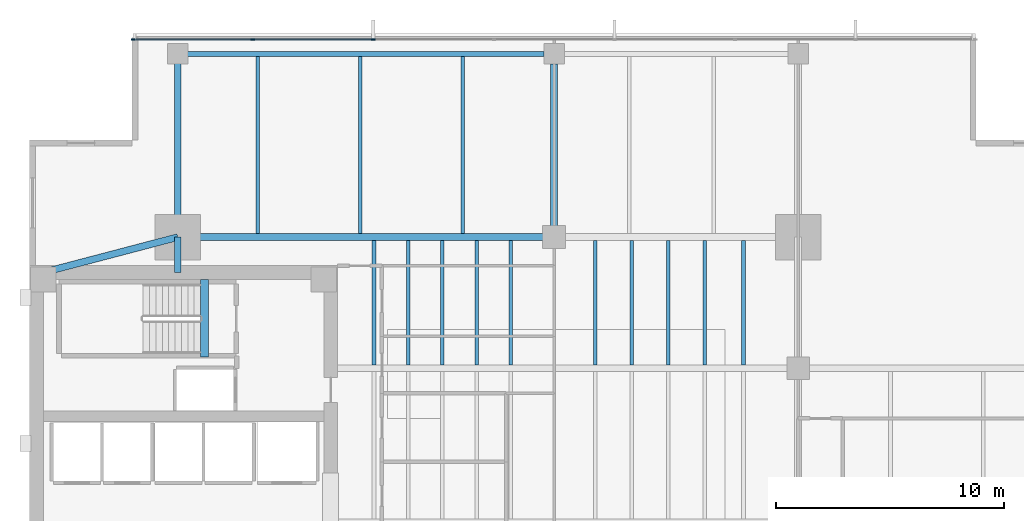
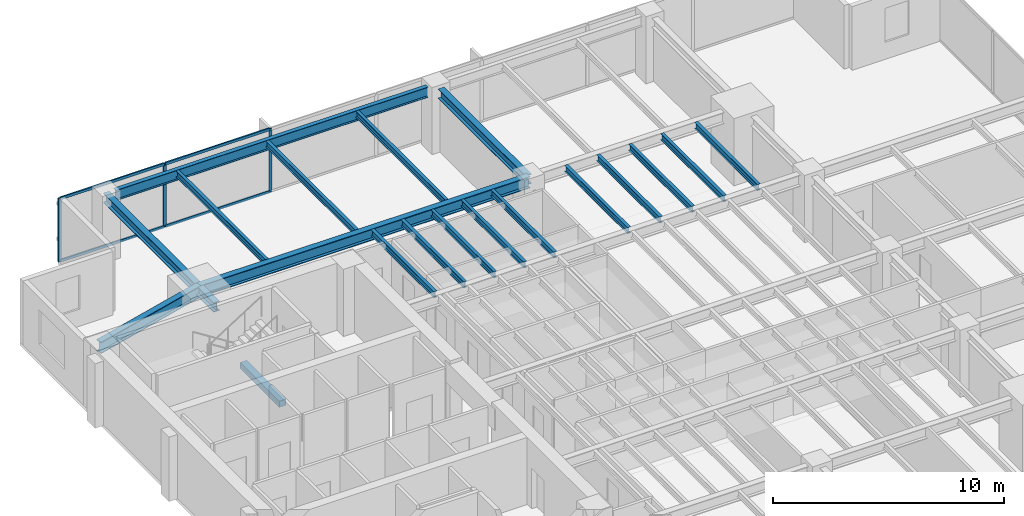
# One storey, part 5 of 15: 20 beams, 7 members, 1 element without a shape of its own.
"""IFC4 building model written with IfcOpenShell, lengths in metres."""

from ifc_helpers import new_model, si_unit, direction, frame, origin, origin_2d, place, context, subcontext, project, spatial, rectangle, i_section, extrude, material, layer, layer_set, material_profile, profile_set, type_object, element, aggregate, save


model = new_model("IFC4")

# Units and contexts
model_context = context("Model", 3, precision=1e-05, world=origin(), true_north=direction((0.0, 1.0)))
body_context = subcontext(model_context, "Body", "Model", "MODEL_VIEW")
ifc_project = project(units=[si_unit("LENGTHUNIT", "METRE"), si_unit("AREAUNIT", "SQUARE_METRE"), si_unit("VOLUMEUNIT", "CUBIC_METRE"), si_unit("PLANEANGLEUNIT", "RADIAN"), si_unit("MASSUNIT", "GRAM", prefix="KILO")], contexts=[model_context])

# Site, building, storey
site_placement = place(None, origin())
site = spatial("IfcSite", under=ifc_project, at=site_placement, CompositionType="ELEMENT")
building_placement = place(site_placement, origin())
building = spatial("IfcBuilding", under=site, at=building_placement, Name="Kinhvarn Gate Tower", CompositionType="ELEMENT")
storey_placement = place(building_placement, frame((0.0, 0.0, 105.800048828125)))
storey = spatial("IfcBuildingStorey", under=building, at=storey_placement, Name="L27", CompositionType="ELEMENT", Elevation=105.800048828125)

# Beam
ifc_material_1 = material(Name="Concrete C50/60", Category="concrete")
ifc_material_profile_1 = material_profile(ifc_material_1, rectangle(XDim=0.340087890625, YDim=0.320068359375, at=origin_2d()), Name="RC 340x320")
ifc_profile_set_1 = profile_set([ifc_material_profile_1], Name="Concrete C50/60")
beam_type_1 = type_object("IfcBeamType", Name="BM-LND-500", PredefinedType="BEAM", material=ifc_profile_set_1)
beam_1_placement = place(storey_placement, frame((12.1650390625, 32.5, -0.16015625), z_axis=(0.0, 1.0, 0.0), x_axis=(-1.0, 0.0, 0.0)))
element("IfcBeam", 1, at=beam_1_placement, inside=storey, type_object=beam_type_1, Name="Stair ST2 Landing Nosing Beam (L27)", PredefinedType="BEAM", context=body_context, shape_type="SweptSolid", body=[
    extrude(rectangle(XDim=0.340087890625, YDim=0.320068359375, at=origin_2d()), origin(), (0.0, 0.0, 1.0), 3.39990234375),
])

# Curtain wall, members
ifc_material_2 = material(Name="Anodised aluminium AW-6063", Category="aluminium")
ifc_layer = layer(ifc_material_2, 0.179931640625)
ifc_layer_set = layer_set([ifc_layer], Name="Anodised aluminium AW-6063")
curtain_wall_type = type_object("IfcCurtainWallType", Name="CW-SYS-3", PredefinedType="NOTDEFINED", material=ifc_layer_set)
curtain_wall_placement = place(storey_placement, origin())
curtain_wall = element("IfcCurtainWall", 2, at=curtain_wall_placement, inside=storey, type_object=curtain_wall_type, Name="Curtain Wall CW3 (L27)", PredefinedType="NOTDEFINED")
ifc_material_profile_2 = material_profile(ifc_material_2, rectangle(XDim=0.06494140625, YDim=0.159912109375, at=origin_2d()), Name="ALU 65x160")
ifc_profile_set_2 = profile_set([ifc_material_profile_2], Name="Anodised aluminium AW-6063")
member_type_1 = type_object("IfcMemberType", Name="CW-MUL-160", PredefinedType="MULLION", material=ifc_profile_set_2)
member_1_placement = place(storey_placement, frame((19.571533203125, 46.409912109375, 0.0), z_axis=(0.0, 0.0, 1.0), x_axis=(0.0, -1.0, 0.0)))
member_1 = element("IfcMember", 3, at=member_1_placement, type_object=member_type_1, Name="CW3 mullion 6", PredefinedType="MULLION", context=body_context, shape_type="SweptSolid", body=[
    extrude(rectangle(XDim=0.06494140625, YDim=0.159912109375, at=origin_2d()), origin(), (0.0, 0.0, 1.0), 3.369873046875),
])
member_2_placement = place(storey_placement, frame((14.28564453125, 46.409912109375, 0.0), z_axis=(0.0, 0.0, 1.0), x_axis=(0.0, -1.0, 0.0)))
member_2 = element("IfcMember", 4, at=member_2_placement, type_object=member_type_1, Name="CW3 mullion 7", PredefinedType="MULLION", context=body_context, shape_type="SweptSolid", body=[
    extrude(rectangle(XDim=0.06494140625, YDim=0.159912109375, at=origin_2d()), origin(), (0.0, 0.0, 1.0), 3.369873046875),
])
member_3_placement = place(storey_placement, frame((9.032470703125, 46.409912109375, 0.0), z_axis=(0.0, 0.0, 1.0), x_axis=(0.0, -1.0, 0.0)))
member_3 = element("IfcMember", 5, at=member_3_placement, type_object=member_type_1, Name="CW3 mullion 8", PredefinedType="MULLION", context=body_context, shape_type="SweptSolid", body=[
    extrude(rectangle(XDim=0.06494140625, YDim=0.159912109375, at=origin_2d()), origin(), (0.0, 0.0, 1.0), 3.369873046875),
])
ifc_material_profile_3 = material_profile(ifc_material_2, rectangle(XDim=0.070068359375, YDim=0.139892578125, at=origin_2d()), Name="ALU 70x140")
ifc_profile_set_3 = profile_set([ifc_material_profile_3], Name="Anodised aluminium AW-6063")
member_type_2 = type_object("IfcMemberType", Name="CW-TRN-140", PredefinedType="USERDEFINED", material=ifc_profile_set_3)
member_4_placement = place(storey_placement, frame((19.538818359375, 46.409912109375, 0.034912109375), z_axis=(-1.0, 0.0, 0.0), x_axis=(0.0, -1.0, 0.0)))
member_4 = element("IfcMember", 6, at=member_4_placement, type_object=member_type_2, Name="CW3 transom 6.1", ObjectType="TRANSOM", PredefinedType="USERDEFINED", context=body_context, shape_type="SweptSolid", body=[
    extrude(rectangle(XDim=0.070068359375, YDim=0.139892578125, at=origin_2d()), origin(), (0.0, 0.0, 1.0), 5.220703125),
])
member_5_placement = place(storey_placement, frame((19.538818359375, 46.409912109375, 3.3349609375), z_axis=(-1.0, 0.0, 0.0), x_axis=(0.0, -1.0, 0.0)))
member_5 = element("IfcMember", 7, at=member_5_placement, type_object=member_type_2, Name="CW3 transom 6.2", ObjectType="TRANSOM", PredefinedType="USERDEFINED", context=body_context, shape_type="SweptSolid", body=[
    extrude(rectangle(XDim=0.070068359375, YDim=0.139892578125, at=origin_2d()), origin(), (0.0, 0.0, 1.0), 5.220703125),
])
member_6_placement = place(storey_placement, frame((14.253173828125, 46.409912109375, 0.034912109375), z_axis=(-1.0, 0.0, 0.0), x_axis=(0.0, -1.0, 0.0)))
member_6 = element("IfcMember", 8, at=member_6_placement, type_object=member_type_2, Name="CW3 transom 7.1", ObjectType="TRANSOM", PredefinedType="USERDEFINED", context=body_context, shape_type="SweptSolid", body=[
    extrude(rectangle(XDim=0.070068359375, YDim=0.139892578125, at=origin_2d()), origin(), (0.0, 0.0, 1.0), 5.188232421875),
])
member_7_placement = place(storey_placement, frame((14.253173828125, 46.409912109375, 3.3349609375), z_axis=(-1.0, 0.0, 0.0), x_axis=(0.0, -1.0, 0.0)))
member_7 = element("IfcMember", 9, at=member_7_placement, type_object=member_type_2, Name="CW3 transom 7.2", ObjectType="TRANSOM", PredefinedType="USERDEFINED", context=body_context, shape_type="SweptSolid", body=[
    extrude(rectangle(XDim=0.070068359375, YDim=0.139892578125, at=origin_2d()), origin(), (0.0, 0.0, 1.0), 5.188232421875),
])
aggregate(curtain_wall, [member_1, member_2, member_3, member_4, member_5, member_6, member_7])

# Beams
ifc_material_3 = material(Name="Steel S355", Category="steel")
ifc_material_profile_4 = material_profile(ifc_material_3, i_section(OverallWidth=0.300048828125, OverallDepth=0.5, WebThickness=0.014404296875, FlangeThickness=0.028076171875, at=origin_2d()), Name="HEB 500")
ifc_profile_set_4 = profile_set([ifc_material_profile_4], Name="Steel S355")
beam_type_2 = type_object("IfcBeamType", Name="STL-HEB500", PredefinedType="BEAM", material=ifc_profile_set_4)
beam_2_placement = place(storey_placement, frame((11.0, 36.199951171875, 3.119873046875), z_axis=(0.0, 1.0, 0.0), x_axis=(-1.0, 0.0, 0.0)))
element("IfcBeam", 10, at=beam_2_placement, inside=storey, type_object=beam_type_2, Name="Floor Beam PG-14 (L27 MCW-CN)", PredefinedType="BEAM", context=body_context, shape_type="SweptSolid", body=[
    extrude(i_section(OverallWidth=0.300048828125, OverallDepth=0.5, WebThickness=0.014404296875, FlangeThickness=0.028076171875, at=origin_2d()), origin(), (0.0, 0.0, 1.0), 1.550048828125),
])
beam_3_placement = place(storey_placement, frame((11.0, 37.75, 3.119873046875), z_axis=(0.0, 1.0, 0.0), x_axis=(-1.0, 0.0, 0.0)))
element("IfcBeam", 11, at=beam_3_placement, inside=storey, type_object=beam_type_2, Name="Floor Beam PG-14 (L27 MCW-N)", PredefinedType="BEAM", context=body_context, shape_type="SweptSolid", body=[
    extrude(i_section(OverallWidth=0.300048828125, OverallDepth=0.5, WebThickness=0.014404296875, FlangeThickness=0.028076171875, at=origin_2d()), origin(), (0.0, 0.0, 1.0), 8.030029296875),
])
beam_4_placement = place(storey_placement, frame((27.5, 37.75, 3.119873046875), z_axis=(0.0, 1.0, 0.0), x_axis=(-1.0, 0.0, 0.0)))
element("IfcBeam", 12, at=beam_4_placement, inside=storey, type_object=beam_type_2, Name="Floor Beam PG-14 (L27 SP27-N-TIE)", PredefinedType="BEAM", context=body_context, shape_type="SweptSolid", body=[
    extrude(i_section(OverallWidth=0.300048828125, OverallDepth=0.5, WebThickness=0.014404296875, FlangeThickness=0.028076171875, at=origin_2d()), origin(), (0.0, 0.0, 1.0), 7.594970703125),
])
ifc_material_profile_5 = material_profile(ifc_material_3, i_section(OverallWidth=0.300048828125, OverallDepth=0.60009765625, WebThickness=0.015380859375, FlangeThickness=0.030029296875, at=origin_2d()), Name="HEB 600")
ifc_profile_set_5 = profile_set([ifc_material_profile_5], Name="Steel S355")
beam_type_3 = type_object("IfcBeamType", Name="STL-HEB600", PredefinedType="BEAM", material=ifc_profile_set_5)
beam_5_placement = place(storey_placement, frame((11.0, 37.75, 3.070068359375), z_axis=(1.0, 0.0, 0.0), x_axis=(0.0, 1.0, 0.0)))
element("IfcBeam", 13, at=beam_5_placement, inside=storey, type_object=beam_type_3, Name="Floor Beam PG-16 (L27 MG-N1)", PredefinedType="BEAM", context=body_context, shape_type="SweptSolid", body=[
    extrude(i_section(OverallWidth=0.300048828125, OverallDepth=0.60009765625, WebThickness=0.015380859375, FlangeThickness=0.030029296875, at=origin_2d()), origin(), (0.0, 0.0, 1.0), 16.5),
])
beam_6_placement = place(storey_placement, frame((5.10009765625, 36.199951171875, 3.070068359375), z_axis=(0.967177623957, 0.254101246979, 0.0), x_axis=(-0.254101246979, 0.967177623957, 0.0)))
element("IfcBeam", 14, at=beam_6_placement, inside=storey, type_object=beam_type_3, Name="Floor Beam PG-16 (L27 MG-NW-DIAG)", PredefinedType="BEAM", context=body_context, shape_type="SweptSolid", body=[
    extrude(i_section(OverallWidth=0.300048828125, OverallDepth=0.60009765625, WebThickness=0.015380859375, FlangeThickness=0.030029296875, at=origin_2d()), origin(), (0.0, 0.0, 1.0), 6.10009765625),
])
ifc_material_profile_6 = material_profile(ifc_material_3, i_section(OverallWidth=0.159912109375, OverallDepth=0.330078125, WebThickness=0.007568359375, FlangeThickness=0.011474609375, at=origin_2d()), Name="IPE 330")
ifc_profile_set_6 = profile_set([ifc_material_profile_6], Name="Steel S355")
beam_type_4 = type_object("IfcBeamType", Name="STL-IPE330", PredefinedType="JOIST", material=ifc_profile_set_6)
for number, where, z_axis, x_axis, name in (
    (15, (19.60009765625, 32.14990234375, 3.204833984375), (0.0, 1.0, 0.0), (-1.0, 0.0, 0.0), "Floor Joist SB-03 (L27 JC-X196-3)"),
    (16, (21.10009765625, 32.14990234375, 3.204833984375), (0.0, 1.0, 0.0), (-1.0, 0.0, 0.0), "Floor Joist SB-03 (L27 JC-X211-3)"),
    (17, (22.60009765625, 32.14990234375, 3.204833984375), (0.0, 1.0, 0.0), (-1.0, 0.0, 0.0), "Floor Joist SB-03 (L27 JC-X226-3)"),
    (18, (24.10009765625, 32.14990234375, 3.204833984375), (0.0, 1.0, 0.0), (-1.0, 0.0, 0.0), "Floor Joist SB-03 (L27 JC-X241-3)"),
    (19, (25.60009765625, 32.14990234375, 3.204833984375), (0.0, 1.0, 0.0), (-1.0, 0.0, 0.0), "Floor Joist SB-03 (L27 JC-X256-3)"),
    (20, (29.300048828125, 32.14990234375, 3.204833984375), (0.0, 1.0, 0.0), (-1.0, 0.0, 0.0), "Floor Joist SB-03 (L27 JC-X293-3)"),
    (21, (30.89990234375, 32.14990234375, 3.204833984375), (0.0, 1.0, 0.0), (-1.0, 0.0, 0.0), "Floor Joist SB-03 (L27 JC-X309-3)"),
    (22, (32.5, 32.14990234375, 3.204833984375), (0.0, 1.0, 0.0), (-1.0, 0.0, 0.0), "Floor Joist SB-03 (L27 JC-X325-3)"),
    (23, (34.10009765625, 32.14990234375, 3.204833984375), (0.0, 1.0, 0.0), (-1.0, 0.0, 0.0), "Floor Joist SB-03 (L27 JC-X341-3)"),
    (24, (35.800048828125, 32.14990234375, 3.204833984375), (0.0, 1.0, 0.0), (-1.0, 0.0, 0.0), "Floor Joist SB-03 (L27 JC-X358-3)"),
):
    element("IfcBeam", number, at=place(storey_placement, frame(where, z_axis=z_axis, x_axis=x_axis)), inside=storey, type_object=beam_type_4, Name=name, PredefinedType="JOIST", context=body_context, shape_type="SweptSolid", body=[
        extrude(i_section(OverallWidth=0.159912109375, OverallDepth=0.330078125, WebThickness=0.007568359375, FlangeThickness=0.011474609375, at=origin_2d()), origin(), (0.0, 0.0, 1.0), 5.4501953125),
    ])
for number, where, z_axis, x_axis, name in (
    (25, (14.5, 37.89990234375, 3.204833984375), (0.0, 1.0, 0.0), (-1.0, 0.0, 0.0), "Floor Joist SB-03 (L27 JN-X145)"),
    (26, (19.0, 37.89990234375, 3.204833984375), (0.0, 1.0, 0.0), (-1.0, 0.0, 0.0), "Floor Joist SB-03 (L27 JN-X190)"),
    (27, (23.5, 37.89990234375, 3.204833984375), (0.0, 1.0, 0.0), (-1.0, 0.0, 0.0), "Floor Joist SB-03 (L27 JN-X235)"),
):
    element("IfcBeam", number, at=place(storey_placement, frame(where, z_axis=z_axis, x_axis=x_axis)), inside=storey, type_object=beam_type_4, Name=name, PredefinedType="JOIST", context=body_context, shape_type="SweptSolid", body=[
        extrude(i_section(OverallWidth=0.159912109375, OverallDepth=0.330078125, WebThickness=0.007568359375, FlangeThickness=0.011474609375, at=origin_2d()), origin(), (0.0, 0.0, 1.0), 7.775146484375),
    ])
ifc_material_profile_7 = material_profile(ifc_material_3, i_section(OverallWidth=0.2099609375, OverallDepth=0.550048828125, WebThickness=0.010986328125, FlangeThickness=0.01708984375, at=origin_2d()), Name="IPE 550")
ifc_profile_set_7 = profile_set([ifc_material_profile_7], Name="Steel S355")
beam_type_5 = type_object("IfcBeamType", Name="STL-IPE550", PredefinedType="SPANDREL", material=ifc_profile_set_7)
beam_7_placement = place(storey_placement, frame((11.43505859375, 45.780029296875, 3.094970703125), z_axis=(1.0, 0.0, 0.0), x_axis=(0.0, 1.0, 0.0)))
element("IfcBeam", 28, at=beam_7_placement, inside=storey, type_object=beam_type_5, Name="Floor Spandrel SB-08 (L27 SP-N1)", PredefinedType="SPANDREL", context=body_context, shape_type="SweptSolid", body=[
    extrude(i_section(OverallWidth=0.2099609375, OverallDepth=0.550048828125, WebThickness=0.010986328125, FlangeThickness=0.01708984375, at=origin_2d()), origin(), (0.0, 0.0, 1.0), 15.6298828125),
])

save(model, "model.ifc")
